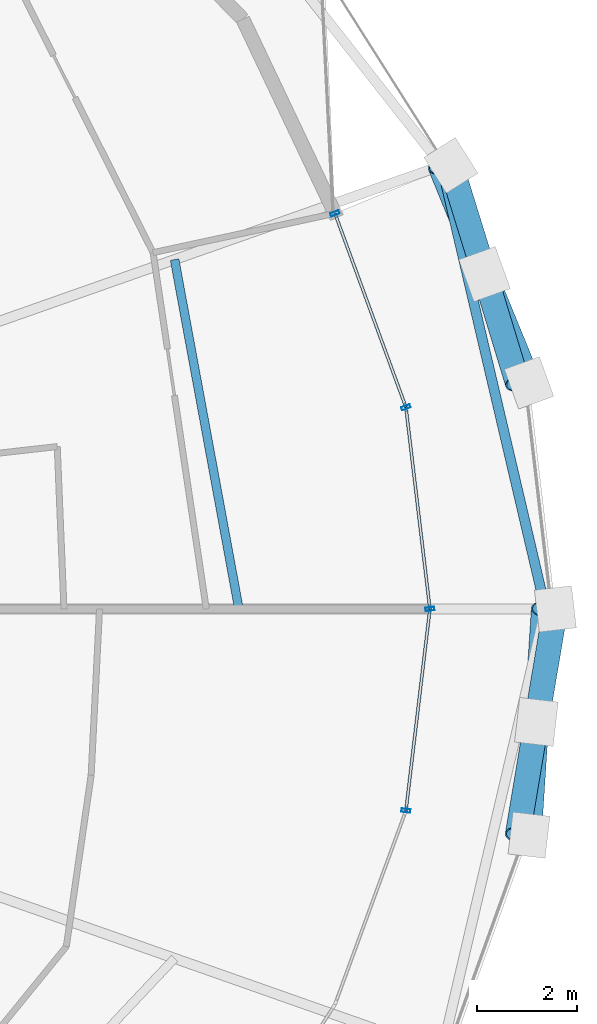
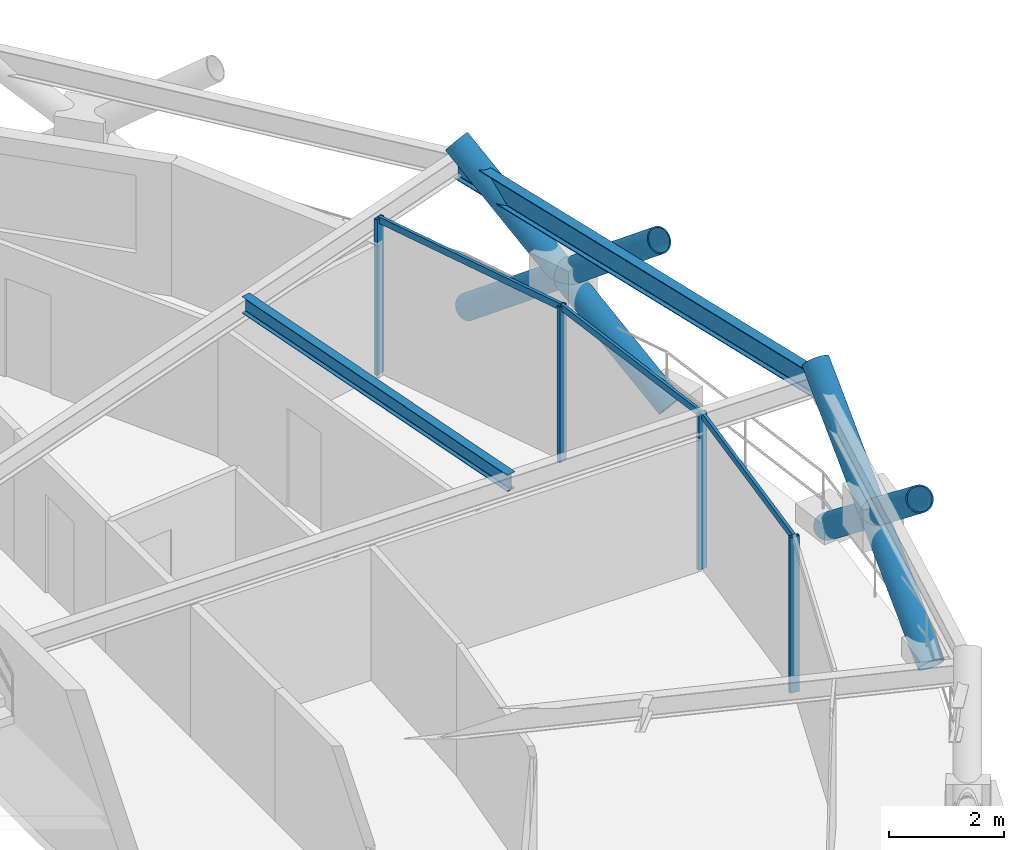
# One storey, part 8 of 15: 13 members, 2 beams, 1 element without a shape of its own.
"""IFC4 building model written with IfcOpenShell, lengths in metres."""

from ifc_helpers import new_model, si_unit, direction, frame, origin, origin_2d, place, context, subcontext, project, spatial, hollow_rectangle, hollow_circle, i_section, extrude, material, layer, layer_set, material_profile, profile_set, type_object, element, aggregate, save


model = new_model("IFC4")

# Units and contexts
model_context = context("Model", 3, precision=1e-05, world=origin(), true_north=direction((0.0, 1.0)))
body_context = subcontext(model_context, "Body", "Model", "MODEL_VIEW")
ifc_project = project(units=[si_unit("LENGTHUNIT", "METRE"), si_unit("AREAUNIT", "SQUARE_METRE"), si_unit("VOLUMEUNIT", "CUBIC_METRE"), si_unit("PLANEANGLEUNIT", "RADIAN"), si_unit("MASSUNIT", "GRAM", prefix="KILO")], contexts=[model_context])

# Site, building, storey
site_placement = place(None, origin())
site = spatial("IfcSite", under=ifc_project, at=site_placement, CompositionType="ELEMENT")
building_placement = place(site_placement, origin())
building = spatial("IfcBuilding", under=site, at=building_placement, Name="Veldorina Hangang Commons", CompositionType="ELEMENT")
storey_placement = place(building_placement, frame((0.0, 0.0, 182.0)))
storey = spatial("IfcBuildingStorey", under=building, at=storey_placement, Name="L47", CompositionType="ELEMENT", Elevation=182.0)

# Beams
ifc_material_1 = material(Name="Steel SM355-TMC", Category="steel")
ifc_material_profile_1 = material_profile(ifc_material_1, i_section(OverallWidth=0.175048828125, OverallDepth=0.35009765625, WebThickness=0.007080078125, FlangeThickness=0.010986328125, FilletRadius=0.012939453125, at=origin_2d()), Name="H-350x175x7x11")
ifc_profile_set_1 = profile_set([ifc_material_profile_1], Name="Steel SM355-TMC")
beam_type_1 = type_object("IfcBeamType", Name="BM-JST350", PredefinedType="JOIST", material=ifc_profile_set_1)
beam_1_placement = place(storey_placement, frame((53.22119140625, 24.0, 3.175048828125), z_axis=(-0.18108054737, 0.983468268611, 0.0), x_axis=(-0.983468268611, -0.18108054737, 0.0)))
element("IfcBeam", 1, at=beam_1_placement, inside=storey, type_object=beam_type_1, Name="L47 secondary floor joist 01", PredefinedType="JOIST", context=body_context, shape_type="SweptSolid", body=[
    extrude(i_section(OverallWidth=0.175048828125, OverallDepth=0.35009765625, WebThickness=0.007080078125, FlangeThickness=0.010986328125, FilletRadius=0.012939453125, at=origin_2d()), origin(), (0.0, 0.0, 1.0), 7.133544921875),
])
ifc_material_2 = material(Name="Steel SM420-TMC", Category="steel")
ifc_material_profile_2 = material_profile(ifc_material_2, i_section(OverallWidth=0.199951171875, OverallDepth=0.5, WebThickness=0.010009765625, FlangeThickness=0.01611328125, FilletRadius=0.01611328125, at=origin_2d()), Name="H-500x200x10x16")
ifc_profile_set_2 = profile_set([ifc_material_profile_2], Name="Steel SM420-TMC")
beam_type_2 = type_object("IfcBeamType", Name="BM-RB500", PredefinedType="BEAM", material=ifc_profile_set_2)
beam_2_placement = place(storey_placement, frame((59.375732421875, 24.0, 3.10009765625), z_axis=(-0.227882851638, 0.973688556947, 0.0), x_axis=(-0.973688556947, -0.227882851638, 0.0)))
element("IfcBeam", 2, at=beam_2_placement, inside=storey, type_object=beam_type_2, Name="L47 perimeter hoop ring beam 00", PredefinedType="BEAM", context=body_context, shape_type="SweptSolid", body=[
    extrude(i_section(OverallWidth=0.199951171875, OverallDepth=0.5, WebThickness=0.010009765625, FlangeThickness=0.01611328125, FilletRadius=0.01611328125, at=origin_2d()), origin(), (0.0, 0.0, 1.0), 9.143798828125),
])

# Curtain wall, members
ifc_material_3 = material(Name="Glass Low-E Triple IGU", Category="glass")
ifc_layer = layer(ifc_material_3, 0.179931640625)
ifc_layer_set = layer_set([ifc_layer], Name="Glass Low-E Triple IGU")
curtain_wall_type = type_object("IfcCurtainWallType", Name="CW-SYS-Z2", PredefinedType="NOTDEFINED", material=ifc_layer_set)
curtain_wall_placement = place(storey_placement, origin())
curtain_wall = element("IfcCurtainWall", 3, at=curtain_wall_placement, inside=storey, type_object=curtain_wall_type, Name="L47 unitised curtain wall CW-L47-R2", PredefinedType="NOTDEFINED")
ifc_material_4 = material(Name="Aluminium Anodized AA6063-T6", Category="aluminium")
ifc_material_profile_3 = material_profile(ifc_material_4, hollow_rectangle(XDim=0.070068359375, YDim=0.179931640625, WallThickness=0.00390625, at=origin_2d()), Name="ALU-RHS-180x70x4")
ifc_profile_set_3 = profile_set([ifc_material_profile_3], Name="Aluminium Anodized AA6063-T6")
member_type_1 = type_object("IfcMemberType", Name="CW-MUL-180", PredefinedType="MULLION", material=ifc_profile_set_3)
member_1_placement = place(storey_placement, frame((56.57470703125, 19.95068359375, 0.0), z_axis=(0.0, 0.0, 1.0), x_axis=(0.11805735075, 0.993006778393, 0.0)))
member_1 = element("IfcMember", 4, at=member_1_placement, type_object=member_type_1, Name="CW-L47-R2 vertical mullion 2", PredefinedType="MULLION", context=body_context, shape_type="SweptSolid", body=[
    extrude(hollow_rectangle(XDim=0.070068359375, YDim=0.179931640625, WallThickness=0.00390625, at=origin_2d()), origin(), (0.0, 0.0, 1.0), 3.31005859375),
])
member_2_placement = place(storey_placement, frame((57.05615234375, 24.0, 0.0), z_axis=(0.0, 0.0, 1.0), x_axis=(-0.11805735075, 0.993006778393, 0.0)))
member_2 = element("IfcMember", 5, at=member_2_placement, type_object=member_type_1, Name="CW-L47-R2 vertical mullion 3", PredefinedType="MULLION", context=body_context, shape_type="SweptSolid", body=[
    extrude(hollow_rectangle(XDim=0.070068359375, YDim=0.179931640625, WallThickness=0.00390625, at=origin_2d()), origin(), (0.0, 0.0, 1.0), 3.31005859375),
])
member_3_placement = place(storey_placement, frame((56.57470703125, 28.04931640625, 0.0), z_axis=(0.0, 0.0, 1.0), x_axis=(-0.343889148338, 0.939010252157, 0.0)))
member_3 = element("IfcMember", 6, at=member_3_placement, type_object=member_type_1, Name="CW-L47-R2 vertical mullion 4", PredefinedType="MULLION", context=body_context, shape_type="SweptSolid", body=[
    extrude(hollow_rectangle(XDim=0.070068359375, YDim=0.179931640625, WallThickness=0.00390625, at=origin_2d()), origin(), (0.0, 0.0, 1.0), 3.31005859375),
])
member_4_placement = place(storey_placement, frame((55.14892578125, 31.94287109375, 0.0), z_axis=(0.0, 0.0, 1.0), x_axis=(0.343889148338, -0.939010252157, 0.0)))
member_4 = element("IfcMember", 7, at=member_4_placement, type_object=member_type_1, Name="CW-L47-R2 vertical mullion 5", PredefinedType="MULLION", context=body_context, shape_type="SweptSolid", body=[
    extrude(hollow_rectangle(XDim=0.070068359375, YDim=0.179931640625, WallThickness=0.00390625, at=origin_2d()), origin(), (0.0, 0.0, 1.0), 3.31005859375),
])
ifc_material_profile_4 = material_profile(ifc_material_4, hollow_rectangle(XDim=0.06005859375, YDim=0.139892578125, WallThickness=0.00341796875, at=origin_2d()), Name="ALU-RHS-140x60x3.5")
ifc_profile_set_4 = profile_set([ifc_material_profile_4], Name="Aluminium Anodized AA6063-T6")
member_type_2 = type_object("IfcMemberType", Name="CW-TRN-140", PredefinedType="USERDEFINED", material=ifc_profile_set_4)
member_5_placement = place(storey_placement, frame((56.57470703125, 19.95068359375, 3.27001953125), z_axis=(0.118063899173, 0.993005999837, 0.0), x_axis=(-0.993005999837, 0.118063899173, 0.0)))
member_5 = element("IfcMember", 8, at=member_5_placement, type_object=member_type_2, Name="CW-L47-R2 facet 3 transom 1", ObjectType="TRANSOM", PredefinedType="USERDEFINED", context=body_context, shape_type="SweptSolid", body=[
    extrude(hollow_rectangle(XDim=0.06005859375, YDim=0.139892578125, WallThickness=0.00341796875, at=origin_2d()), origin(), (0.0, 0.0, 1.0), 4.077880859375),
])
member_6_placement = place(storey_placement, frame((57.05615234375, 24.0, 3.27001953125), z_axis=(-0.118063899173, 0.993005999837, 0.0), x_axis=(-0.993005999837, -0.118063899173, 0.0)))
member_6 = element("IfcMember", 9, at=member_6_placement, type_object=member_type_2, Name="CW-L47-R2 facet 4 transom 1", ObjectType="TRANSOM", PredefinedType="USERDEFINED", context=body_context, shape_type="SweptSolid", body=[
    extrude(hollow_rectangle(XDim=0.06005859375, YDim=0.139892578125, WallThickness=0.00341796875, at=origin_2d()), origin(), (0.0, 0.0, 1.0), 4.077880859375),
])
member_7_placement = place(storey_placement, frame((56.57470703125, 28.04931640625, 3.27001953125), z_axis=(-0.34386016204, 0.93902086716, 0.0), x_axis=(-0.93902086716, -0.34386016204, 0.0)))
member_7 = element("IfcMember", 10, at=member_7_placement, type_object=member_type_2, Name="CW-L47-R2 facet 5 transom 1", ObjectType="TRANSOM", PredefinedType="USERDEFINED", context=body_context, shape_type="SweptSolid", body=[
    extrude(hollow_rectangle(XDim=0.06005859375, YDim=0.139892578125, WallThickness=0.00341796875, at=origin_2d()), origin(), (0.0, 0.0, 1.0), 4.146484375),
])
aggregate(curtain_wall, [member_1, member_2, member_3, member_4, member_5, member_6, member_7])

# Members
ifc_material_profile_5 = material_profile(ifc_material_2, hollow_circle(Radius=0.25, WallThickness=0.02490234375, at=origin_2d()), Name="CHS-500x25")
ifc_profile_set_5 = profile_set([ifc_material_profile_5], Name="Steel SM420-TMC")
member_type_3 = type_object("IfcMemberType", Name="DG-CHS500", PredefinedType="BRACE", material=ifc_profile_set_5)
member_8_placement = place(storey_placement, frame((59.04638671875, 28.541015625, 0.0), z_axis=(-0.300900591479, 0.735475313555, 0.607070751395), x_axis=(-0.925536227611, -0.378659070115, 0.0)))
element("IfcMember", 11, at=member_8_placement, inside=storey, type_object=member_type_3, Name="L47 continuous perimeter diagrid brace 01", PredefinedType="BRACE", context=body_context, shape_type="SweptSolid", body=[
    extrude(hollow_circle(Radius=0.25, WallThickness=0.02490234375, at=origin_2d()), origin(), (0.0, 0.0, 1.0), 5.93017578125),
])
member_9_placement = place(storey_placement, frame((57.47705078125, 32.9072265625, 0.0), z_axis=(0.232433768902, -0.750313988752, 0.618872734378), x_axis=(0.955216200794, 0.295908786182, 0.0)))
element("IfcMember", 12, at=member_9_placement, inside=storey, type_object=member_type_3, Name="L47 split perimeter diagrid lower brace 02", PredefinedType="BRACE", context=body_context, shape_type="SweptSolid", body=[
    extrude(hollow_circle(Radius=0.25, WallThickness=0.02490234375, at=origin_2d()), origin(), (0.0, 0.0, 1.0), 2.91064453125),
])
member_10_placement = place(storey_placement, frame((58.153564453125, 30.723388671875, 1.80126953125), z_axis=(0.228601265385, -0.751562352656, 0.618785497192), x_axis=(0.956721772726, 0.29100420889, 0.0)))
element("IfcMember", 13, at=member_10_placement, inside=storey, type_object=member_type_3, Name="L47 split perimeter diagrid upper brace 02", PredefinedType="BRACE", context=body_context, shape_type="SweptSolid", body=[
    extrude(hollow_circle(Radius=0.25, WallThickness=0.02490234375, at=origin_2d()), origin(), (0.0, 0.0, 1.0), 2.906982421875),
])
member_11_placement = place(storey_placement, frame((59.04638671875, 19.458984375, 0.0), z_axis=(0.051204758756, 0.782587109991, 0.620431694835), x_axis=(-0.997866299014, 0.065290499242, 0.0)))
element("IfcMember", 14, at=member_11_placement, inside=storey, type_object=member_type_3, Name="L47 continuous perimeter diagrid brace 31", PredefinedType="BRACE", context=body_context, shape_type="SweptSolid", body=[
    extrude(hollow_circle(Radius=0.25, WallThickness=0.02490234375, at=origin_2d()), origin(), (0.0, 0.0, 1.0), 5.802490234375),
])
member_12_placement = place(storey_placement, frame((59.576171875, 24.0, 0.0), z_axis=(-0.130500286624, -0.776735700862, 0.616158523594), x_axis=(0.986178063546, -0.165688946462, 0.0)))
element("IfcMember", 15, at=member_12_placement, inside=storey, type_object=member_type_3, Name="L47 split perimeter diagrid lower brace 00", PredefinedType="BRACE", context=body_context, shape_type="SweptSolid", body=[
    extrude(hollow_circle(Radius=0.25, WallThickness=0.02490234375, at=origin_2d()), origin(), (0.0, 0.0, 1.0), 2.922119140625),
])
member_13_placement = place(storey_placement, frame((59.19482421875, 21.730224609375, 1.800537109375), z_axis=(-0.128999517961, -0.776923214786, 0.616238137973), x_axis=(0.986494156285, -0.163796457887, 0.0)))
element("IfcMember", 16, at=member_13_placement, inside=storey, type_object=member_type_3, Name="L47 split perimeter diagrid upper brace 00", PredefinedType="BRACE", context=body_context, shape_type="SweptSolid", body=[
    extrude(hollow_circle(Radius=0.25, WallThickness=0.02490234375, at=origin_2d()), origin(), (0.0, 0.0, 1.0), 2.920166015625),
])

save(model, "model.ifc")
